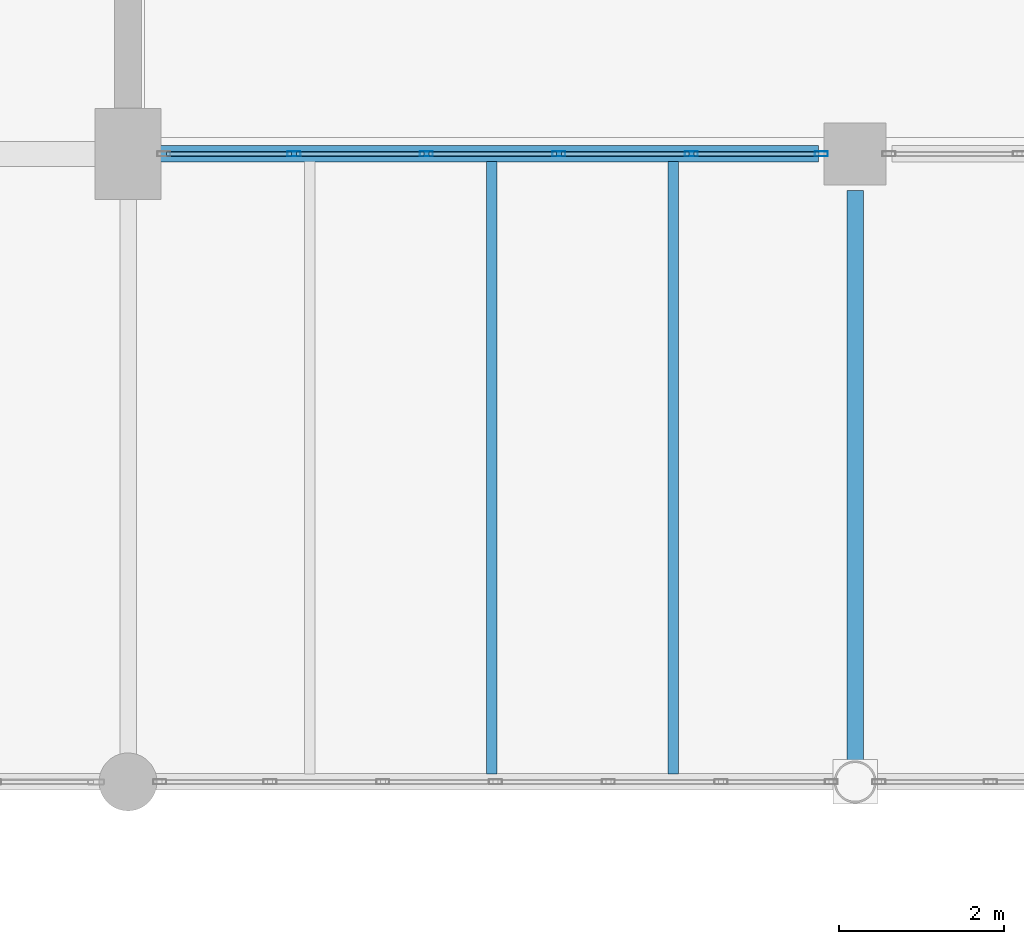
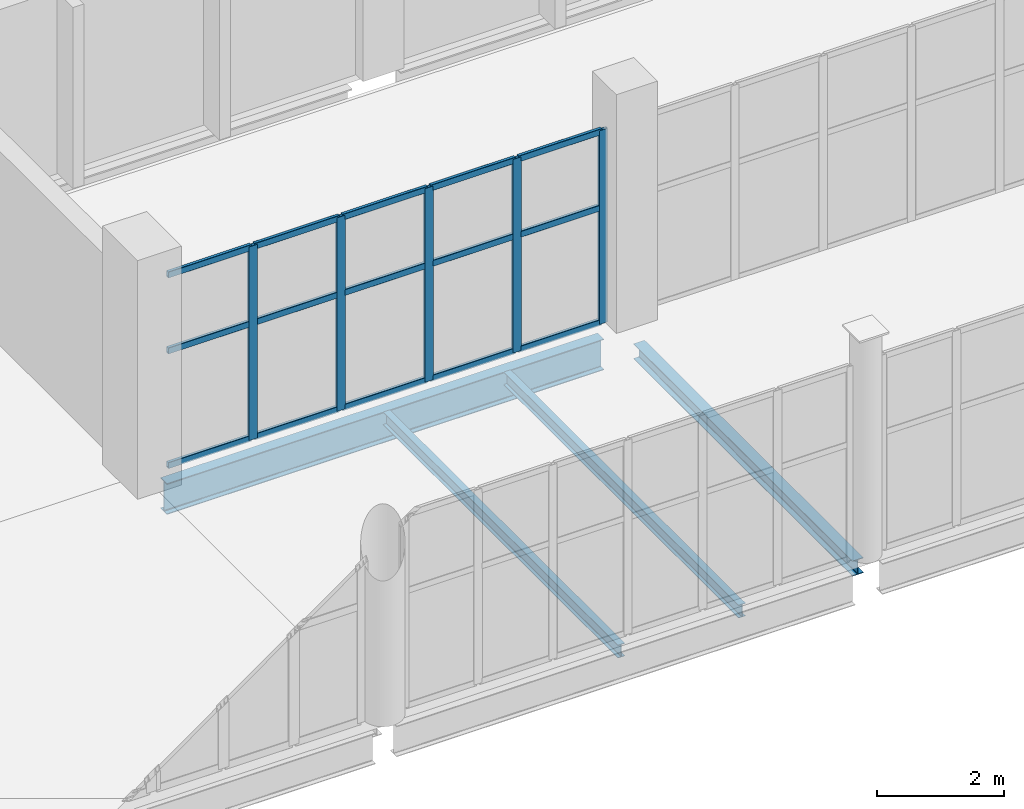
# One storey, part 56 of 136: 20 members, 4 beams, 1 element without a shape of its own.
"""IFC4 building model written with IfcOpenShell, lengths in metres."""

from ifc_helpers import new_model, si_unit, direction, frame, origin, origin_2d, place, context, subcontext, project, spatial, hollow_rectangle, i_section, extrude, material, material_profile, profile_set, type_object, element, aggregate, save


model = new_model("IFC4")

# Units and contexts
model_context = context("Model", 3, precision=1e-05, world=origin(), true_north=direction((0.0, 1.0)))
body_context = subcontext(model_context, "Body", "Model", "MODEL_VIEW")
ifc_project = project(units=[si_unit("LENGTHUNIT", "METRE"), si_unit("AREAUNIT", "SQUARE_METRE"), si_unit("VOLUMEUNIT", "CUBIC_METRE"), si_unit("PLANEANGLEUNIT", "RADIAN"), si_unit("MASSUNIT", "GRAM", prefix="KILO")], contexts=[model_context])

# Site, building, storey
site_placement = place(None, origin())
site = spatial("IfcSite", under=ifc_project, at=site_placement, CompositionType="ELEMENT")
building_placement = place(site_placement, origin())
building = spatial("IfcBuilding", under=site, at=building_placement, Name="Shengluoqiao Park Theatre", CompositionType="ELEMENT")
storey_placement = place(building_placement, frame((0.0, 0.0, 10.0)))
storey = spatial("IfcBuildingStorey", under=building, at=storey_placement, Name="L02", CompositionType="ELEMENT", Elevation=10.0)

# Curtain wall, members
ifc_material_1 = material(Name="Aluminium 6063-T6", Category="aluminium")
curtain_wall_type = type_object("IfcCurtainWallType", Name="ENV-CW-BRIDGE", PredefinedType="NOTDEFINED", material=ifc_material_1)
curtain_wall_placement = place(storey_placement, origin())
curtain_wall = element("IfcCurtainWall", 1, at=curtain_wall_placement, inside=storey, type_object=curtain_wall_type, Name="L02 Curtain Wall CWX-L02-0115", PredefinedType="NOTDEFINED")
ifc_material_profile_1 = material_profile(ifc_material_1, hollow_rectangle(XDim=0.06005859375, YDim=0.159912109375, WallThickness=0.00390625, InnerFilletRadius=0.00390625, OuterFilletRadius=0.008056640625, at=origin_2d()), Name="ALU MULLION 160x60x4")
ifc_profile_set_1 = profile_set([ifc_material_profile_1], Name="Aluminium 6063-T6")
member_type_1 = type_object("IfcMemberType", Name="ENV-MUL-160", PredefinedType="MULLION", material=ifc_profile_set_1)
member_1_placement = place(storey_placement, frame((88.407470703125, 76.0, 0.0), z_axis=(0.0, 0.0, 1.0), x_axis=(0.0, 1.0, 0.0)))
member_1 = element("IfcMember", 2, at=member_1_placement, type_object=member_type_1, Name="CW-03 mullion 2", PredefinedType="MULLION", context=body_context, shape_type="SweptSolid", body=[
    extrude(hollow_rectangle(XDim=0.06005859375, YDim=0.159912109375, WallThickness=0.00390625, InnerFilletRadius=0.00390625, OuterFilletRadius=0.008056640625, at=origin_2d()), origin(), (0.0, 0.0, 1.0), 3.73193359375),
])
member_2_placement = place(storey_placement, frame((90.0107421875, 76.0, 0.0), z_axis=(0.0, 0.0, 1.0), x_axis=(0.0, 1.0, 0.0)))
member_2 = element("IfcMember", 3, at=member_2_placement, type_object=member_type_1, Name="CW-03 mullion 3", PredefinedType="MULLION", context=body_context, shape_type="SweptSolid", body=[
    extrude(hollow_rectangle(XDim=0.06005859375, YDim=0.159912109375, WallThickness=0.00390625, InnerFilletRadius=0.00390625, OuterFilletRadius=0.008056640625, at=origin_2d()), origin(), (0.0, 0.0, 1.0), 3.73193359375),
])
member_3_placement = place(storey_placement, frame((91.6142578125, 76.0, 0.0), z_axis=(0.0, 0.0, 1.0), x_axis=(0.0, 1.0, 0.0)))
member_3 = element("IfcMember", 4, at=member_3_placement, type_object=member_type_1, Name="CW-03 mullion 4", PredefinedType="MULLION", context=body_context, shape_type="SweptSolid", body=[
    extrude(hollow_rectangle(XDim=0.06005859375, YDim=0.159912109375, WallThickness=0.00390625, InnerFilletRadius=0.00390625, OuterFilletRadius=0.008056640625, at=origin_2d()), origin(), (0.0, 0.0, 1.0), 3.73193359375),
])
member_4_placement = place(storey_placement, frame((93.217529296875, 76.0, 0.0), z_axis=(0.0, 0.0, 1.0), x_axis=(0.0, 1.0, 0.0)))
member_4 = element("IfcMember", 5, at=member_4_placement, type_object=member_type_1, Name="CW-03 mullion 5", PredefinedType="MULLION", context=body_context, shape_type="SweptSolid", body=[
    extrude(hollow_rectangle(XDim=0.06005859375, YDim=0.159912109375, WallThickness=0.00390625, InnerFilletRadius=0.00390625, OuterFilletRadius=0.008056640625, at=origin_2d()), origin(), (0.0, 0.0, 1.0), 3.73193359375),
])
member_5_placement = place(storey_placement, frame((94.791015625, 76.0, 0.0), z_axis=(0.0, 0.0, 1.0), x_axis=(0.0, 1.0, 0.0)))
member_5 = element("IfcMember", 6, at=member_5_placement, type_object=member_type_1, Name="CW-03 mullion 6", PredefinedType="MULLION", context=body_context, shape_type="SweptSolid", body=[
    extrude(hollow_rectangle(XDim=0.06005859375, YDim=0.159912109375, WallThickness=0.00390625, InnerFilletRadius=0.00390625, OuterFilletRadius=0.008056640625, at=origin_2d()), origin(), (0.0, 0.0, 1.0), 3.73193359375),
])
ifc_material_profile_2 = material_profile(ifc_material_1, hollow_rectangle(XDim=0.06005859375, YDim=0.1201171875, WallThickness=0.00390625, InnerFilletRadius=0.00390625, OuterFilletRadius=0.008056640625, at=origin_2d()), Name="ALU TRANSOM 120x60x4")
ifc_profile_set_2 = profile_set([ifc_material_profile_2], Name="Aluminium 6063-T6")
member_type_2 = type_object("IfcMemberType", Name="ENV-TRN-120", PredefinedType="USERDEFINED", material=ifc_profile_set_2)
member_6_placement = place(storey_placement, frame((86.864013671875, 76.0, 0.030029296875), z_axis=(1.0, 0.0, 0.0), x_axis=(0.0, 1.0, 0.0)))
member_6 = element("IfcMember", 7, at=member_6_placement, type_object=member_type_2, Name="CW-03 transom 1.1", ObjectType="TRANSOM", PredefinedType="USERDEFINED", context=body_context, shape_type="SweptSolid", body=[
    extrude(hollow_rectangle(XDim=0.06005859375, YDim=0.1201171875, WallThickness=0.00390625, InnerFilletRadius=0.00390625, OuterFilletRadius=0.008056640625, at=origin_2d()), origin(), (0.0, 0.0, 1.0), 1.513427734375),
])
member_7_placement = place(storey_placement, frame((86.864013671875, 76.0, 2.239013671875), z_axis=(1.0, 0.0, 0.0), x_axis=(0.0, 1.0, 0.0)))
member_7 = element("IfcMember", 8, at=member_7_placement, type_object=member_type_2, Name="CW-03 transom 1.2", ObjectType="TRANSOM", PredefinedType="USERDEFINED", context=body_context, shape_type="SweptSolid", body=[
    extrude(hollow_rectangle(XDim=0.06005859375, YDim=0.1201171875, WallThickness=0.00390625, InnerFilletRadius=0.00390625, OuterFilletRadius=0.008056640625, at=origin_2d()), origin(), (0.0, 0.0, 1.0), 1.513427734375),
])
member_8_placement = place(storey_placement, frame((86.864013671875, 76.0, 3.701904296875), z_axis=(1.0, 0.0, 0.0), x_axis=(0.0, 1.0, 0.0)))
member_8 = element("IfcMember", 9, at=member_8_placement, type_object=member_type_2, Name="CW-03 transom 1.3", ObjectType="TRANSOM", PredefinedType="USERDEFINED", context=body_context, shape_type="SweptSolid", body=[
    extrude(hollow_rectangle(XDim=0.06005859375, YDim=0.1201171875, WallThickness=0.00390625, InnerFilletRadius=0.00390625, OuterFilletRadius=0.008056640625, at=origin_2d()), origin(), (0.0, 0.0, 1.0), 1.513427734375),
])
member_9_placement = place(storey_placement, frame((88.4375, 76.0, 0.030029296875), z_axis=(1.0, 0.0, 0.0), x_axis=(0.0, 1.0, 0.0)))
member_9 = element("IfcMember", 10, at=member_9_placement, type_object=member_type_2, Name="CW-03 transom 2.1", ObjectType="TRANSOM", PredefinedType="USERDEFINED", context=body_context, shape_type="SweptSolid", body=[
    extrude(hollow_rectangle(XDim=0.06005859375, YDim=0.1201171875, WallThickness=0.00390625, InnerFilletRadius=0.00390625, OuterFilletRadius=0.008056640625, at=origin_2d()), origin(), (0.0, 0.0, 1.0), 1.543212890625),
])
member_10_placement = place(storey_placement, frame((88.4375, 76.0, 2.239013671875), z_axis=(1.0, 0.0, 0.0), x_axis=(0.0, 1.0, 0.0)))
member_10 = element("IfcMember", 11, at=member_10_placement, type_object=member_type_2, Name="CW-03 transom 2.2", ObjectType="TRANSOM", PredefinedType="USERDEFINED", context=body_context, shape_type="SweptSolid", body=[
    extrude(hollow_rectangle(XDim=0.06005859375, YDim=0.1201171875, WallThickness=0.00390625, InnerFilletRadius=0.00390625, OuterFilletRadius=0.008056640625, at=origin_2d()), origin(), (0.0, 0.0, 1.0), 1.543212890625),
])
member_11_placement = place(storey_placement, frame((88.4375, 76.0, 3.701904296875), z_axis=(1.0, 0.0, 0.0), x_axis=(0.0, 1.0, 0.0)))
member_11 = element("IfcMember", 12, at=member_11_placement, type_object=member_type_2, Name="CW-03 transom 2.3", ObjectType="TRANSOM", PredefinedType="USERDEFINED", context=body_context, shape_type="SweptSolid", body=[
    extrude(hollow_rectangle(XDim=0.06005859375, YDim=0.1201171875, WallThickness=0.00390625, InnerFilletRadius=0.00390625, OuterFilletRadius=0.008056640625, at=origin_2d()), origin(), (0.0, 0.0, 1.0), 1.543212890625),
])
member_12_placement = place(storey_placement, frame((90.040771484375, 76.0, 0.030029296875), z_axis=(1.0, 0.0, 0.0), x_axis=(0.0, 1.0, 0.0)))
member_12 = element("IfcMember", 13, at=member_12_placement, type_object=member_type_2, Name="CW-03 transom 3.1", ObjectType="TRANSOM", PredefinedType="USERDEFINED", context=body_context, shape_type="SweptSolid", body=[
    extrude(hollow_rectangle(XDim=0.06005859375, YDim=0.1201171875, WallThickness=0.00390625, InnerFilletRadius=0.00390625, OuterFilletRadius=0.008056640625, at=origin_2d()), origin(), (0.0, 0.0, 1.0), 1.54345703125),
])
member_13_placement = place(storey_placement, frame((90.040771484375, 76.0, 2.239013671875), z_axis=(1.0, 0.0, 0.0), x_axis=(0.0, 1.0, 0.0)))
member_13 = element("IfcMember", 14, at=member_13_placement, type_object=member_type_2, Name="CW-03 transom 3.2", ObjectType="TRANSOM", PredefinedType="USERDEFINED", context=body_context, shape_type="SweptSolid", body=[
    extrude(hollow_rectangle(XDim=0.06005859375, YDim=0.1201171875, WallThickness=0.00390625, InnerFilletRadius=0.00390625, OuterFilletRadius=0.008056640625, at=origin_2d()), origin(), (0.0, 0.0, 1.0), 1.54345703125),
])
member_14_placement = place(storey_placement, frame((90.040771484375, 76.0, 3.701904296875), z_axis=(1.0, 0.0, 0.0), x_axis=(0.0, 1.0, 0.0)))
member_14 = element("IfcMember", 15, at=member_14_placement, type_object=member_type_2, Name="CW-03 transom 3.3", ObjectType="TRANSOM", PredefinedType="USERDEFINED", context=body_context, shape_type="SweptSolid", body=[
    extrude(hollow_rectangle(XDim=0.06005859375, YDim=0.1201171875, WallThickness=0.00390625, InnerFilletRadius=0.00390625, OuterFilletRadius=0.008056640625, at=origin_2d()), origin(), (0.0, 0.0, 1.0), 1.54345703125),
])
member_15_placement = place(storey_placement, frame((91.644287109375, 76.0, 0.030029296875), z_axis=(1.0, 0.0, 0.0), x_axis=(0.0, 1.0, 0.0)))
member_15 = element("IfcMember", 16, at=member_15_placement, type_object=member_type_2, Name="CW-03 transom 4.1", ObjectType="TRANSOM", PredefinedType="USERDEFINED", context=body_context, shape_type="SweptSolid", body=[
    extrude(hollow_rectangle(XDim=0.06005859375, YDim=0.1201171875, WallThickness=0.00390625, InnerFilletRadius=0.00390625, OuterFilletRadius=0.008056640625, at=origin_2d()), origin(), (0.0, 0.0, 1.0), 1.543212890625),
])
member_16_placement = place(storey_placement, frame((91.644287109375, 76.0, 2.239013671875), z_axis=(1.0, 0.0, 0.0), x_axis=(0.0, 1.0, 0.0)))
member_16 = element("IfcMember", 17, at=member_16_placement, type_object=member_type_2, Name="CW-03 transom 4.2", ObjectType="TRANSOM", PredefinedType="USERDEFINED", context=body_context, shape_type="SweptSolid", body=[
    extrude(hollow_rectangle(XDim=0.06005859375, YDim=0.1201171875, WallThickness=0.00390625, InnerFilletRadius=0.00390625, OuterFilletRadius=0.008056640625, at=origin_2d()), origin(), (0.0, 0.0, 1.0), 1.543212890625),
])
member_17_placement = place(storey_placement, frame((91.644287109375, 76.0, 3.701904296875), z_axis=(1.0, 0.0, 0.0), x_axis=(0.0, 1.0, 0.0)))
member_17 = element("IfcMember", 18, at=member_17_placement, type_object=member_type_2, Name="CW-03 transom 4.3", ObjectType="TRANSOM", PredefinedType="USERDEFINED", context=body_context, shape_type="SweptSolid", body=[
    extrude(hollow_rectangle(XDim=0.06005859375, YDim=0.1201171875, WallThickness=0.00390625, InnerFilletRadius=0.00390625, OuterFilletRadius=0.008056640625, at=origin_2d()), origin(), (0.0, 0.0, 1.0), 1.543212890625),
])
member_18_placement = place(storey_placement, frame((93.24755859375, 76.0, 0.030029296875), z_axis=(1.0, 0.0, 0.0), x_axis=(0.0, 1.0, 0.0)))
member_18 = element("IfcMember", 19, at=member_18_placement, type_object=member_type_2, Name="CW-03 transom 5.1", ObjectType="TRANSOM", PredefinedType="USERDEFINED", context=body_context, shape_type="SweptSolid", body=[
    extrude(hollow_rectangle(XDim=0.06005859375, YDim=0.1201171875, WallThickness=0.00390625, InnerFilletRadius=0.00390625, OuterFilletRadius=0.008056640625, at=origin_2d()), origin(), (0.0, 0.0, 1.0), 1.513427734375),
])
member_19_placement = place(storey_placement, frame((93.24755859375, 76.0, 2.239013671875), z_axis=(1.0, 0.0, 0.0), x_axis=(0.0, 1.0, 0.0)))
member_19 = element("IfcMember", 20, at=member_19_placement, type_object=member_type_2, Name="CW-03 transom 5.2", ObjectType="TRANSOM", PredefinedType="USERDEFINED", context=body_context, shape_type="SweptSolid", body=[
    extrude(hollow_rectangle(XDim=0.06005859375, YDim=0.1201171875, WallThickness=0.00390625, InnerFilletRadius=0.00390625, OuterFilletRadius=0.008056640625, at=origin_2d()), origin(), (0.0, 0.0, 1.0), 1.513427734375),
])
member_20_placement = place(storey_placement, frame((93.24755859375, 76.0, 3.701904296875), z_axis=(1.0, 0.0, 0.0), x_axis=(0.0, 1.0, 0.0)))
member_20 = element("IfcMember", 21, at=member_20_placement, type_object=member_type_2, Name="CW-03 transom 5.3", ObjectType="TRANSOM", PredefinedType="USERDEFINED", context=body_context, shape_type="SweptSolid", body=[
    extrude(hollow_rectangle(XDim=0.06005859375, YDim=0.1201171875, WallThickness=0.00390625, InnerFilletRadius=0.00390625, OuterFilletRadius=0.008056640625, at=origin_2d()), origin(), (0.0, 0.0, 1.0), 1.513427734375),
])
aggregate(curtain_wall, [member_1, member_2, member_3, member_4, member_5, member_6, member_7, member_8, member_9, member_10, member_11, member_12, member_13, member_14, member_15, member_16, member_17, member_18, member_19, member_20])

# Beams
ifc_material_2 = material(Name="Steel Q355", Category="steel")
ifc_material_profile_3 = material_profile(ifc_material_2, i_section(OverallWidth=0.199951171875, OverallDepth=0.2939453125, WebThickness=0.008056640625, FlangeThickness=0.011962890625, FilletRadius=0.01611328125, at=origin_2d()), Name="HM 294x200x8x12")
ifc_profile_set_3 = profile_set([ifc_material_profile_3], Name="Steel Q355")
beam_type_1 = type_object("IfcBeamType", Name="STR-BM-G-HM294", PredefinedType="BEAM", material=ifc_profile_set_3)
beam_1_placement = place(storey_placement, frame((95.199951171875, 68.64794921875, -0.39697265625), z_axis=(0.0, 1.0, 0.0), x_axis=(-1.0, 0.0, 0.0)))
element("IfcBeam", 22, at=beam_1_placement, inside=storey, type_object=beam_type_1, Name="L02 Transverse Girder 01021", PredefinedType="BEAM", context=body_context, shape_type="SweptSolid", body=[
    extrude(i_section(OverallWidth=0.199951171875, OverallDepth=0.2939453125, WebThickness=0.008056640625, FlangeThickness=0.011962890625, FilletRadius=0.01611328125, at=origin_2d()), origin(), (0.0, 0.0, 1.0), 6.907958984375),
])
ifc_material_profile_4 = material_profile(ifc_material_2, i_section(OverallWidth=0.125, OverallDepth=0.25, WebThickness=0.006103515625, FlangeThickness=0.009033203125, FilletRadius=0.010009765625, at=origin_2d()), Name="HN 250x125x6x9")
ifc_profile_set_4 = profile_set([ifc_material_profile_4], Name="Steel Q355")
beam_type_2 = type_object("IfcBeamType", Name="STR-BM-J-HN250", PredefinedType="JOIST", material=ifc_profile_set_4)
for number, where, z_axis, x_axis, name in (
    (23, (90.800048828125, 68.494384765625, -0.375), (0.0, 1.0, 0.0), (-1.0, 0.0, 0.0), "L02 Composite Joist 01030"),
    (24, (93.0, 68.494384765625, -0.375), (0.0, 1.0, 0.0), (-1.0, 0.0, 0.0), "L02 Composite Joist 01031"),
):
    element("IfcBeam", number, at=place(storey_placement, frame(where, z_axis=z_axis, x_axis=x_axis)), inside=storey, type_object=beam_type_2, Name=name, PredefinedType="JOIST", context=body_context, shape_type="SweptSolid", body=[
        extrude(i_section(OverallWidth=0.125, OverallDepth=0.25, WebThickness=0.006103515625, FlangeThickness=0.009033203125, FilletRadius=0.010009765625, at=origin_2d()), origin(), (0.0, 0.0, 1.0), 7.4111328125),
    ])
ifc_material_profile_5 = material_profile(ifc_material_2, i_section(OverallWidth=0.198974609375, OverallDepth=0.595947265625, WebThickness=0.010009765625, FlangeThickness=0.014892578125, FilletRadius=0.02001953125, at=origin_2d()), Name="HN 596x199x10x15")
ifc_profile_set_5 = profile_set([ifc_material_profile_5], Name="Steel Q355")
beam_type_3 = type_object("IfcBeamType", Name="STR-BM-SP-HN596", PredefinedType="SPANDREL", material=ifc_profile_set_5)
beam_2_placement = place(storey_placement, frame((86.7939453125, 76.0, -0.548095703125), z_axis=(1.0, 0.0, 0.0), x_axis=(0.0, 1.0, 0.0)))
element("IfcBeam", 25, at=beam_2_placement, inside=storey, type_object=beam_type_3, Name="L02 Primary Girder 01013", PredefinedType="SPANDREL", context=body_context, shape_type="SweptSolid", body=[
    extrude(i_section(OverallWidth=0.198974609375, OverallDepth=0.595947265625, WebThickness=0.010009765625, FlangeThickness=0.014892578125, FilletRadius=0.02001953125, at=origin_2d()), origin(), (0.0, 0.0, 1.0), 7.962158203125),
])

save(model, "model.ifc")
